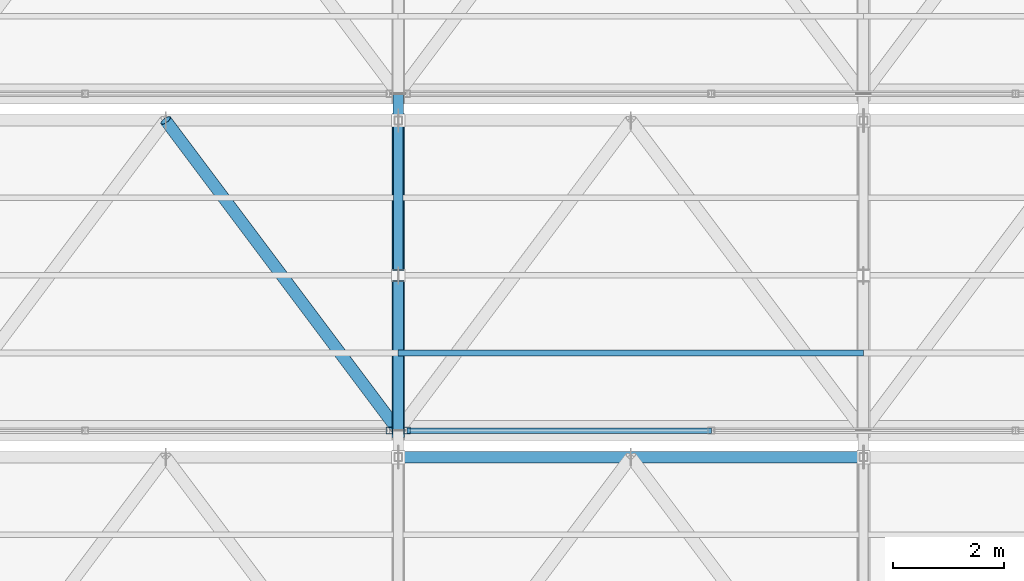
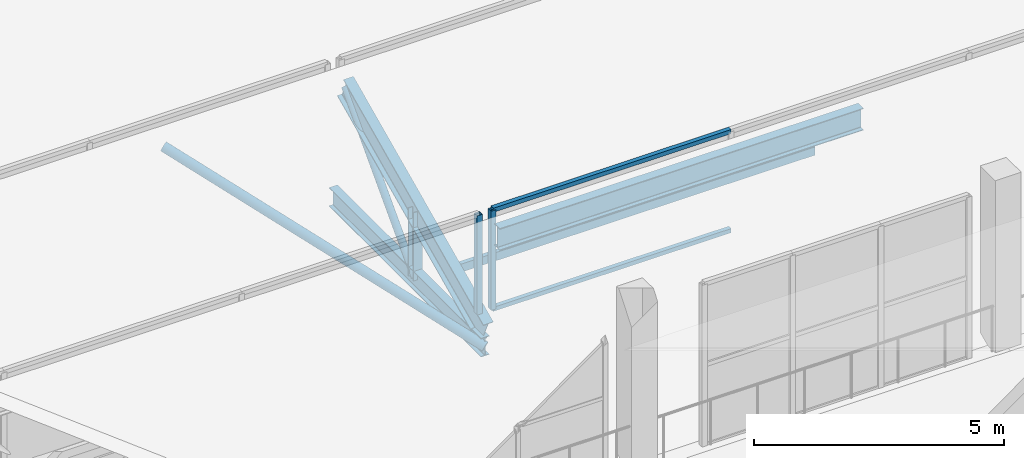
# One storey, part 78 of 217: 11 members, 2 elements without a shape of their own.
"""IFC4 building model written with IfcOpenShell, lengths in metres."""

from ifc_helpers import new_model, si_unit, direction, frame, origin, origin_2d, place, context, subcontext, project, spatial, hollow_rectangle, hollow_circle, i_section, extrude, material, material_profile, profile_set, type_object, element, aggregate, save


model = new_model("IFC4")

# Units and contexts
model_context = context("Model", 3, precision=1e-05, world=origin(), true_north=direction((0.0, 1.0)))
body_context = subcontext(model_context, "Body", "Model", "MODEL_VIEW")
ifc_project = project(units=[si_unit("LENGTHUNIT", "METRE"), si_unit("AREAUNIT", "SQUARE_METRE"), si_unit("VOLUMEUNIT", "CUBIC_METRE"), si_unit("PLANEANGLEUNIT", "RADIAN"), si_unit("MASSUNIT", "GRAM", prefix="KILO")], contexts=[model_context])

# Site, building, storey
site_placement = place(None, origin())
site = spatial("IfcSite", under=ifc_project, at=site_placement, CompositionType="ELEMENT")
building_placement = place(site_placement, origin())
building = spatial("IfcBuilding", under=site, at=building_placement, Name="Zuvorla Pavilion Media Centre", CompositionType="ELEMENT")
storey_placement = place(building_placement, frame((0.0, 0.0, 9.60009765625)))
storey = spatial("IfcBuildingStorey", under=building, at=storey_placement, Name="L02", CompositionType="ELEMENT", Elevation=9.60009765625)

# Curtain wall, member
ifc_material_1 = material(Name="Unitised anodised aluminium and solar glass curtain wall", Category="aluminium")
curtain_wall_type = type_object("IfcCurtainWallType", Name="CW-SYS-88", PredefinedType="USERDEFINED", material=ifc_material_1)
curtain_wall_1_placement = place(storey_placement, origin())
curtain_wall_1 = element("IfcCurtainWall", 1, at=curtain_wall_1_placement, inside=storey, type_object=curtain_wall_type, Name="L02 curtain wall CW88 200", ObjectType="CURTAIN WALL", PredefinedType="USERDEFINED")
ifc_material_2 = material(Name="Anodised aluminium 6063-T6", Category="aluminium")
ifc_material_profile_1 = material_profile(ifc_material_2, hollow_rectangle(XDim=0.1201171875, YDim=0.1201171875, WallThickness=0.0048828125, at=origin_2d()), Name="ALU MULL 120x120")
ifc_profile_set_1 = profile_set([ifc_material_profile_1], Name="Anodised aluminium 6063-T6")
member_type_1 = type_object("IfcMemberType", Name="CW-MULL-120", PredefinedType="MULLION", material=ifc_profile_set_1)
member_1_placement = place(storey_placement, frame((83.43994140625, 95.679931640625, 0.0), z_axis=(0.0, 0.0, 1.0), x_axis=(1.0, 0.0, 0.0)))
member_1 = element("IfcMember", 2, at=member_1_placement, type_object=member_type_1, Name="CW88 mullion 4", PredefinedType="MULLION", context=body_context, shape_type="SweptSolid", body=[
    extrude(hollow_rectangle(XDim=0.1201171875, YDim=0.1201171875, WallThickness=0.0048828125, at=origin_2d()), origin(), (0.0, 0.0, 1.0), 2.419921875),
])
aggregate(curtain_wall_1, [member_1])

# Curtain wall, members
curtain_wall_2_placement = place(storey_placement, origin())
curtain_wall_2 = element("IfcCurtainWall", 3, at=curtain_wall_2_placement, inside=storey, type_object=curtain_wall_type, Name="L02 curtain wall CW88 201", ObjectType="CURTAIN WALL", PredefinedType="USERDEFINED")
member_2_placement = place(storey_placement, frame((83.760009765625, 95.679931640625, 0.0), z_axis=(0.0, 0.0, 1.0), x_axis=(1.0, 0.0, 0.0)))
member_2 = element("IfcMember", 4, at=member_2_placement, type_object=member_type_1, Name="CW88 mullion 1", PredefinedType="MULLION", context=body_context, shape_type="SweptSolid", body=[
    extrude(hollow_rectangle(XDim=0.1201171875, YDim=0.1201171875, WallThickness=0.0048828125, at=origin_2d()), origin(), (0.0, 0.0, 1.0), 2.419921875),
])
ifc_material_profile_2 = material_profile(ifc_material_2, hollow_rectangle(XDim=0.10009765625, YDim=0.10009765625, WallThickness=0.00439453125, at=origin_2d()), Name="ALU TRAN 100x100")
ifc_profile_set_2 = profile_set([ifc_material_profile_2], Name="Anodised aluminium 6063-T6")
member_type_2 = type_object("IfcMemberType", Name="CW-TRAN-100", PredefinedType="USERDEFINED", material=ifc_profile_set_2)
member_3_placement = place(storey_placement, frame((83.760009765625, 95.679931640625, 0.0), z_axis=(1.0, 0.0, 0.0), x_axis=(0.0, 1.0, 0.0)))
member_3 = element("IfcMember", 5, at=member_3_placement, type_object=member_type_2, Name="CW88 transom 1.1", ObjectType="TRANSOM", PredefinedType="USERDEFINED", context=body_context, shape_type="SweptSolid", body=[
    extrude(hollow_rectangle(XDim=0.10009765625, YDim=0.10009765625, WallThickness=0.00439453125, at=origin_2d()), origin(), (0.0, 0.0, 1.0), 5.493408203125),
])
member_4_placement = place(storey_placement, frame((83.760009765625, 95.679931640625, 2.419921875), z_axis=(1.0, 0.0, 0.0), x_axis=(0.0, 1.0, 0.0)))
member_4 = element("IfcMember", 6, at=member_4_placement, type_object=member_type_2, Name="CW88 transom 1.2", ObjectType="TRANSOM", PredefinedType="USERDEFINED", context=body_context, shape_type="SweptSolid", body=[
    extrude(hollow_rectangle(XDim=0.10009765625, YDim=0.10009765625, WallThickness=0.00439453125, at=origin_2d()), origin(), (0.0, 0.0, 1.0), 5.493408203125),
])
aggregate(curtain_wall_2, [member_2, member_3, member_4])

# Members
ifc_material_3 = material(Name="Steel S355", Category="steel")
ifc_material_profile_3 = material_profile(ifc_material_3, hollow_circle(Radius=0.084228515625, WallThickness=0.008056640625, at=origin_2d()), Name="CHS 168.3x8")
ifc_profile_set_3 = profile_set([ifc_material_profile_3], Name="Steel S355")
member_type_3 = type_object("IfcMemberType", Name="MEM-BRC-CHS168", PredefinedType="BRACE", material=ifc_profile_set_3)
member_5_placement = place(storey_placement, frame((83.60009765625, 98.47998046875, -0.880126953125), z_axis=(0.0, 0.68676242614, 0.726881950555), x_axis=(-1.0, 0.0, 0.0)))
element("IfcMember", 7, at=member_5_placement, inside=storey, type_object=member_type_3, Name="L02 diagonal brace TB03 139", PredefinedType="BRACE", context=body_context, shape_type="SweptSolid", body=[
    extrude(hollow_circle(Radius=0.084228515625, WallThickness=0.008056640625, at=origin_2d()), origin(), (0.0, 0.0, 1.0), 4.0771484375),
])
ifc_material_profile_4 = material_profile(ifc_material_3, hollow_circle(Radius=0.109619140625, WallThickness=0.010009765625, at=origin_2d()), Name="CHS 219.1x10")
ifc_profile_set_4 = profile_set([ifc_material_profile_4], Name="Steel S355")
member_type_4 = type_object("IfcMemberType", Name="MEM-BRC-CHS219", PredefinedType="BRACE", material=ifc_profile_set_4)
member_6_placement = place(storey_placement, frame((79.39990234375, 101.280029296875, 2.08349609375), z_axis=(0.552533909139, -0.736690467788, -0.389863352885), x_axis=(0.79999162962, 0.600011160345, 0.0)))
element("IfcMember", 8, at=member_6_placement, inside=storey, type_object=member_type_4, Name="L02 diagonal brace TB02 179", PredefinedType="BRACE", context=body_context, shape_type="SweptSolid", body=[
    extrude(hollow_circle(Radius=0.109619140625, WallThickness=0.010009765625, at=origin_2d()), origin(), (0.0, 0.0, 1.0), 7.601806640625),
])
ifc_material_profile_5 = material_profile(ifc_material_3, i_section(OverallWidth=0.19140625, OverallDepth=0.4599609375, WebThickness=0.010009765625, FlangeThickness=0.01611328125, FilletRadius=0.01025390625, at=origin_2d()), Name="UB 457x191x82")
ifc_profile_set_5 = profile_set([ifc_material_profile_5], Name="Steel S355")
member_type_5 = type_object("IfcMemberType", Name="MEM-CHD-UB457", PredefinedType="CHORD", material=ifc_profile_set_5)
member_7_placement = place(storey_placement, frame((83.60009765625, 95.679931640625, -0.880126953125), z_axis=(0.0, 1.0, 0.0), x_axis=(-1.0, 0.0, 0.0)))
element("IfcMember", 9, at=member_7_placement, inside=storey, type_object=member_type_5, Name="L02 chord TC03 136", PredefinedType="CHORD", context=body_context, shape_type="SweptSolid", body=[
    extrude(i_section(OverallWidth=0.19140625, OverallDepth=0.4599609375, WebThickness=0.010009765625, FlangeThickness=0.01611328125, FilletRadius=0.01025390625, at=origin_2d()), origin(), (0.0, 0.0, 1.0), 6.080078125),
])
ifc_material_profile_6 = material_profile(ifc_material_3, i_section(OverallWidth=0.2099609375, OverallDepth=0.53662109375, WebThickness=0.0107421875, FlangeThickness=0.017333984375, FilletRadius=0.0126953125, at=origin_2d()), Name="UB 533x210x101")
ifc_profile_set_6 = profile_set([ifc_material_profile_6], Name="Steel S355")
member_type_6 = type_object("IfcMemberType", Name="MEM-CHD-UB533", PredefinedType="CHORD", material=ifc_profile_set_6)
member_8_placement = place(storey_placement, frame((83.60009765625, 95.199951171875, 2.08349609375), z_axis=(1.0, 0.0, 0.0), x_axis=(0.0, 1.0, 0.0)))
element("IfcMember", 10, at=member_8_placement, inside=storey, type_object=member_type_6, Name="L02 chord TC02 90", PredefinedType="CHORD", context=body_context, shape_type="SweptSolid", body=[
    extrude(i_section(OverallWidth=0.2099609375, OverallDepth=0.53662109375, WebThickness=0.0107421875, FlangeThickness=0.017333984375, FilletRadius=0.0126953125, at=origin_2d()), origin(), (0.0, 0.0, 1.0), 8.39990234375),
])
ifc_material_profile_7 = material_profile(ifc_material_3, i_section(OverallWidth=0.22900390625, OverallDepth=0.6123046875, WebThickness=0.011962890625, FlangeThickness=0.01953125, FilletRadius=0.0126953125, at=origin_2d()), Name="UB 610x229x125")
ifc_profile_set_7 = profile_set([ifc_material_profile_7], Name="Steel S355")
member_type_7 = type_object("IfcMemberType", Name="MEM-CHD-UB610", PredefinedType="CHORD", material=ifc_profile_set_7)
member_9_placement = place(storey_placement, frame((83.60009765625, 95.679931640625, -0.5166015625), z_axis=(0.0, 0.907005731366, 0.421118277053), x_axis=(-1.0, 0.0, 0.0)))
element("IfcMember", 11, at=member_9_placement, inside=storey, type_object=member_type_7, Name="L02 chord TC01 137", PredefinedType="CHORD", context=body_context, shape_type="SweptSolid", body=[
    extrude(i_section(OverallWidth=0.22900390625, OverallDepth=0.6123046875, WebThickness=0.011962890625, FlangeThickness=0.01953125, FilletRadius=0.0126953125, at=origin_2d()), origin(), (0.0, 0.0, 1.0), 6.17431640625),
])
ifc_material_profile_8 = material_profile(ifc_material_3, hollow_rectangle(XDim=0.10009765625, YDim=0.199951171875, WallThickness=0.008056640625, at=origin_2d()), Name="RHS 200x100x8")
ifc_profile_set_8 = profile_set([ifc_material_profile_8], Name="Steel S355")
member_type_8 = type_object("IfcMemberType", Name="MEM-PUR-RHS200", PredefinedType="PURLIN", material=ifc_profile_set_8)
member_10_placement = place(storey_placement, frame((83.60009765625, 97.080078125, 0.133544921875), z_axis=(1.0, 0.0, 0.0), x_axis=(0.0, 1.0, 0.0)))
element("IfcMember", 12, at=member_10_placement, inside=storey, type_object=member_type_8, Name="L02 purlin PR01 186", PredefinedType="PURLIN", context=body_context, shape_type="SweptSolid", body=[
    extrude(hollow_rectangle(XDim=0.10009765625, YDim=0.199951171875, WallThickness=0.008056640625, at=origin_2d()), origin(), (0.0, 0.0, 1.0), 8.39990234375),
])
ifc_material_profile_9 = material_profile(ifc_material_3, i_section(OverallWidth=0.205810546875, OverallDepth=0.209716796875, WebThickness=0.009521484375, FlangeThickness=0.01416015625, FilletRadius=0.01025390625, at=origin_2d()), Name="UC 203x203x60")
ifc_profile_set_9 = profile_set([ifc_material_profile_9], Name="Steel S355")
member_type_9 = type_object("IfcMemberType", Name="MEM-STR-UC203", PredefinedType="STRUT", material=ifc_profile_set_9)
member_11_placement = place(storey_placement, frame((83.60009765625, 98.47998046875, -0.880126953125), z_axis=(0.0, 0.0, 1.0), x_axis=(1.0, 0.0, 0.0)))
element("IfcMember", 13, at=member_11_placement, inside=storey, type_object=member_type_9, Name="L02 vertical strut TS02 140", PredefinedType="STRUT", context=body_context, shape_type="SweptSolid", body=[
    extrude(i_section(OverallWidth=0.205810546875, OverallDepth=0.209716796875, WebThickness=0.009521484375, FlangeThickness=0.01416015625, FilletRadius=0.01025390625, at=origin_2d()), origin(), (0.0, 0.0, 1.0), 1.66357421875),
])

save(model, "model.ifc")
